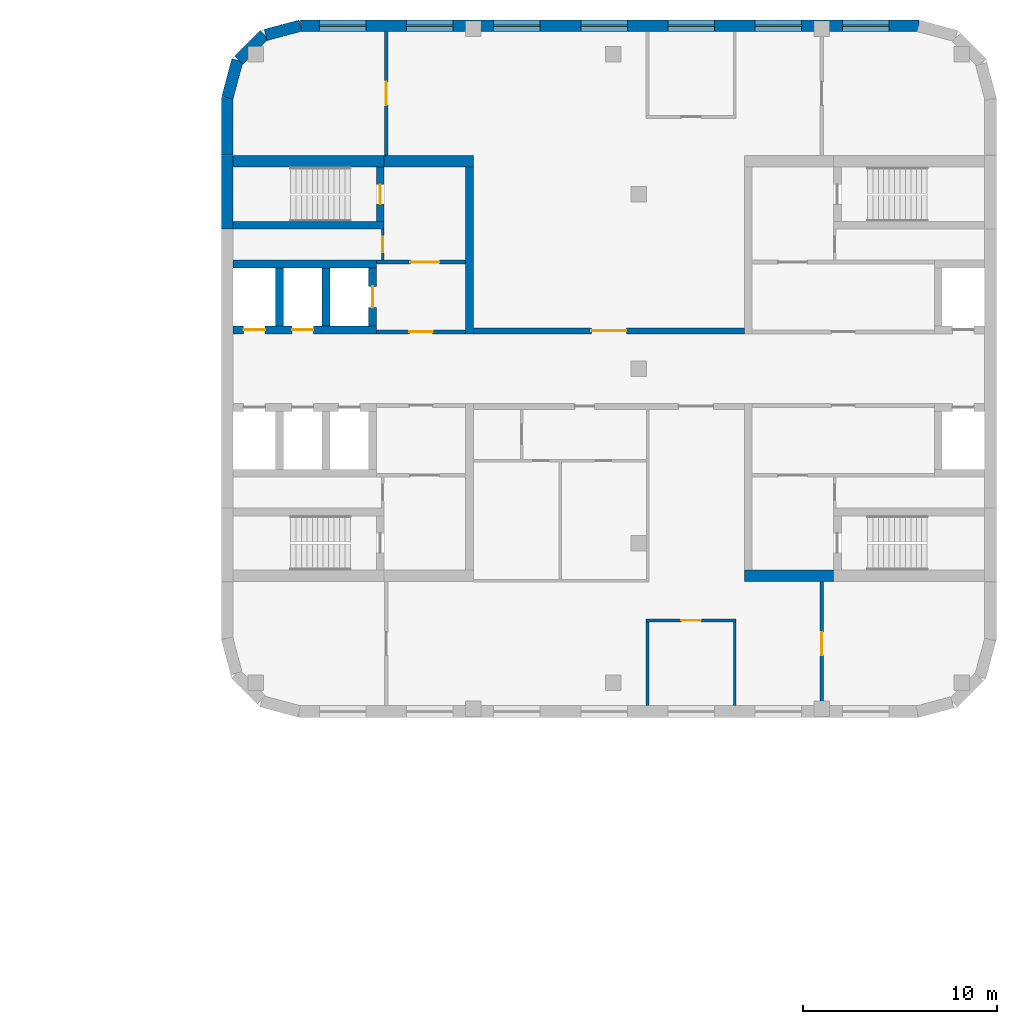
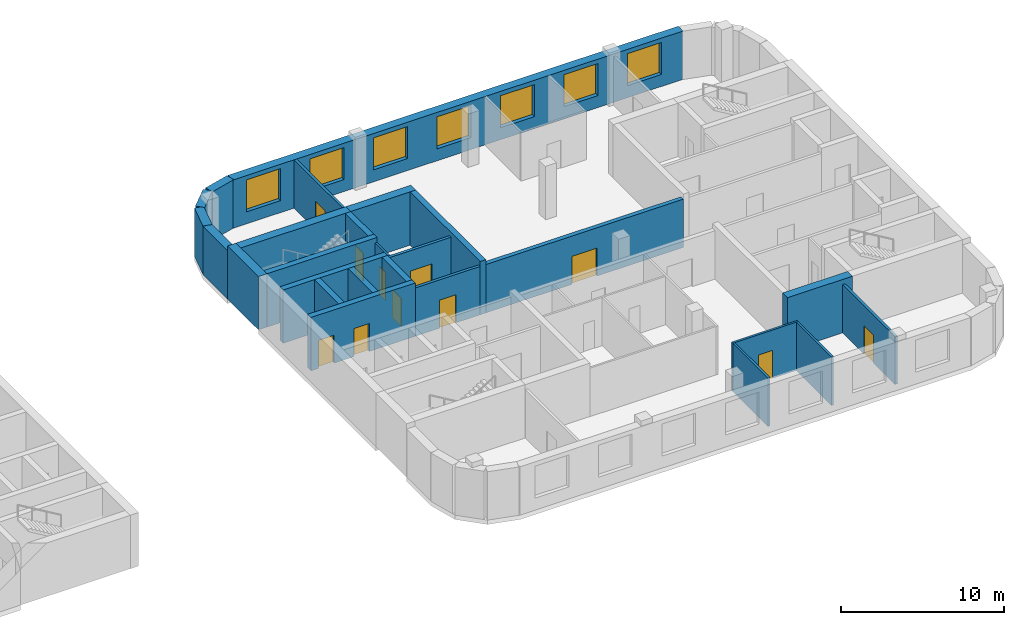
# One storey, part 8 of 12: 26 walls, 11 doors, 7 windows, 18 openings.
"""IFC4 building model written with IfcOpenShell, lengths in metres."""

from ifc_helpers import new_model, si_unit, direction, frame, frame_2d, origin, place, context, subcontext, project, spatial, rectangle, extrude, material, layer, layer_set, type_object, element, fill, save


model = new_model("IFC4")

# Units and contexts
model_context = context("Model", 3, precision=1e-05, world=origin(), true_north=direction((0.0, 1.0)))
body_context = subcontext(model_context, "Body", "Model", "MODEL_VIEW")
ifc_project = project(units=[si_unit("LENGTHUNIT", "METRE"), si_unit("AREAUNIT", "SQUARE_METRE"), si_unit("VOLUMEUNIT", "CUBIC_METRE"), si_unit("PLANEANGLEUNIT", "RADIAN"), si_unit("MASSUNIT", "GRAM", prefix="KILO")], contexts=[model_context])

# Site, building, storey
site_placement = place(None, origin())
site = spatial("IfcSite", under=ifc_project, at=site_placement, CompositionType="ELEMENT")
building_placement = place(site_placement, origin())
building = spatial("IfcBuilding", under=site, at=building_placement, Name="Skarvind Civic Tower", CompositionType="ELEMENT")
storey_placement = place(building_placement, frame((0.0, 0.0, 39.5)))
storey = spatial("IfcBuildingStorey", under=building, at=storey_placement, Name="L08", CompositionType="ELEMENT", Elevation=39.5)

# Wall, opening, door
ifc_material_1 = material(Name="Acoustic gypsum board on steel studs", Category="steel")
ifc_layer_1 = layer(ifc_material_1, 0.175048828125)
ifc_layer_set_1 = layer_set([ifc_layer_1], Name="ACOUSTIC MEETING-ROOM PARTITION 175")
wall_type_1 = type_object("IfcWallType", Name="ACOUSTIC MEETING-ROOM PARTITION 175", PredefinedType="PARTITIONING", material=ifc_layer_set_1)
wall_1_placement = place(storey_placement, frame((135.5, 145.39990234375, 0.0), z_axis=(0.0, 0.0, 1.0), x_axis=(0.0, -1.0, 0.0)))
wall_1 = element("IfcWall", 1, at=wall_1_placement, inside=storey, type_object=wall_type_1, Name="Partition 08.002", PredefinedType="PARTITIONING", context=body_context, shape_type="SweptSolid", body=[
    extrude(rectangle(XDim=6.39990234375, YDim=0.175048828125, at=frame_2d((3.199951171875, 0.0))), origin(), (0.0, 0.0, 1.0), 3.625),
])
opening_1_placement = place(wall_1_placement, frame((2.60009765625, 0.0, 0.0)))
opening_1 = element("IfcOpeningElement", 2, at=opening_1_placement, cuts=wall_1, Name="Opening L08-D103", PredefinedType="OPENING", context=body_context, shape_type="SweptSolid", body=[
    extrude(rectangle(XDim=1.199951171875, YDim=2.10009765625, at=frame_2d((0.60009765625, 1.050048828125))), frame((0.0, 0.097412109375, 0.0), z_axis=(0.0, -1.0, 0.0), x_axis=(1.0, 0.0, 0.0)), (0.0, 0.0, 1.0), 0.195068359375),
])
ifc_material_2 = material(Name="Timber door leaf", Category="wood")
door_type_1 = type_object("IfcDoorType", Name="DOOR 1200X2100 DOUBLE TIMBER", OperationType="NOTDEFINED", PredefinedType="DOOR", material=ifc_material_2)
door_1_placement = place(opening_1_placement, origin())
door_1 = element("IfcDoor", 3, at=door_1_placement, inside=storey, type_object=door_type_1, Name="Door L08-D103", OperationType="DOUBLE_DOOR_SINGLE_SWING", OverallHeight=2.10009765625, OverallWidth=1.199951171875, PredefinedType="DOOR", context=body_context, shape_type="SweptSolid", body=[
    extrude(rectangle(XDim=1.199951171875, YDim=2.10009765625, at=frame_2d((0.60009765625, 1.050048828125))), frame((0.0, 0.02490234375, 0.0), z_axis=(0.0, -1.0, 0.0), x_axis=(1.0, 0.0, 0.0)), (0.0, 0.0, 1.0), 0.050048828125),
])
fill(opening_1, door_1)

wall_2_placement = place(storey_placement, frame((158.0, 110.60009765625, 0.0), z_axis=(0.0, 0.0, 1.0), x_axis=(0.0, 1.0, 0.0)))
wall_2 = element("IfcWall", 4, at=wall_2_placement, inside=storey, type_object=wall_type_1, Name="Partition 08.016", PredefinedType="PARTITIONING", context=body_context, shape_type="SweptSolid", body=[
    extrude(rectangle(XDim=6.39990234375, YDim=0.175048828125, at=frame_2d((3.199951171875, 0.0))), origin(), (0.0, 0.0, 1.0), 3.625),
])
opening_2_placement = place(wall_2_placement, frame((2.60009765625, 0.0, 0.0)))
opening_2 = element("IfcOpeningElement", 5, at=opening_2_placement, cuts=wall_2, Name="Opening L08-D112", PredefinedType="OPENING", context=body_context, shape_type="SweptSolid", body=[
    extrude(rectangle(XDim=1.199951171875, YDim=2.10009765625, at=frame_2d((0.60009765625, 1.050048828125))), frame((0.0, 0.097412109375, 0.0), z_axis=(0.0, -1.0, 0.0), x_axis=(1.0, 0.0, 0.0)), (0.0, 0.0, 1.0), 0.195068359375),
])
door_2_placement = place(opening_2_placement, origin())
door_2 = element("IfcDoor", 6, at=door_2_placement, inside=storey, type_object=door_type_1, Name="Door L08-D112", OperationType="DOUBLE_DOOR_SINGLE_SWING", OverallHeight=2.10009765625, OverallWidth=1.199951171875, PredefinedType="DOOR", context=body_context, shape_type="SweptSolid", body=[
    extrude(rectangle(XDim=1.199951171875, YDim=2.10009765625, at=frame_2d((0.60009765625, 1.050048828125))), frame((0.0, 0.02490234375, 0.0), z_axis=(0.0, -1.0, 0.0), x_axis=(1.0, 0.0, 0.0)), (0.0, 0.0, 1.0), 0.050048828125),
])
fill(opening_2, door_2)

ifc_material_3 = material(Name="Fire-rated gypsum board on steel studs", Category="steel")
ifc_layer_2 = layer(ifc_material_3, 0.300048828125)
ifc_layer_set_2 = layer_set([ifc_layer_2], Name="CORRIDOR WALL 300")
wall_type_2 = type_object("IfcWallType", Name="CORRIDOR WALL 300", PredefinedType="PARTITIONING", material=ifc_layer_set_2)
wall_3_placement = place(storey_placement, frame((140.0, 129.949951171875, 0.0), z_axis=(0.0, 0.0, 1.0), x_axis=(1.0, 0.0, 0.0)))
wall_3 = element("IfcWall", 7, at=wall_3_placement, inside=storey, type_object=wall_type_2, Name="Partition 08.005", PredefinedType="PARTITIONING", context=body_context, shape_type="SweptSolid", body=[
    extrude(rectangle(XDim=14.0, YDim=0.300048828125, at=frame_2d((7.0, 0.0))), origin(), (0.0, 0.0, 1.0), 3.625),
])
opening_3_placement = place(wall_3_placement, frame((6.10009765625, 0.0, 0.0)))
opening_3 = element("IfcOpeningElement", 8, at=opening_3_placement, cuts=wall_3, Name="Opening L08-D101", PredefinedType="OPENING", context=body_context, shape_type="SweptSolid", body=[
    extrude(rectangle(XDim=1.800048828125, YDim=2.10009765625, at=frame_2d((0.89990234375, 1.050048828125))), frame((0.0, 0.159912109375, 0.0), z_axis=(0.0, -1.0, 0.0), x_axis=(1.0, 0.0, 0.0)), (0.0, 0.0, 1.0), 0.320068359375),
])
ifc_material_4 = material(Name="Fire-rated timber door leaf", Category="wood")
door_type_2 = type_object("IfcDoorType", Name="FD4 1800x2100", OperationType="NOTDEFINED", PredefinedType="DOOR", material=ifc_material_4)
door_3_placement = place(opening_3_placement, origin())
door_3 = element("IfcDoor", 9, at=door_3_placement, inside=storey, type_object=door_type_2, Name="Door L08-D101", OperationType="DOUBLE_DOOR_SINGLE_SWING", OverallHeight=2.10009765625, OverallWidth=1.800048828125, PredefinedType="DOOR", context=body_context, shape_type="SweptSolid", body=[
    extrude(rectangle(XDim=1.800048828125, YDim=2.10009765625, at=frame_2d((0.89990234375, 1.050048828125))), frame((0.0, 0.02490234375, 0.0), z_axis=(0.0, -1.0, 0.0), x_axis=(1.0, 0.0, 0.0)), (0.0, 0.0, 1.0), 0.050048828125),
])
fill(opening_3, door_3)

ifc_material_5 = material(Name="Fire-rated masonry partition", Category="masonry")
ifc_layer_3 = layer(ifc_material_5, 0.199951171875)
ifc_layer_set_3 = layer_set([ifc_layer_3], Name="Core enclosure wall 200")
wall_type_3 = type_object("IfcWallType", Name="Core enclosure wall 200", PredefinedType="PARTITIONING", material=ifc_layer_set_3)
wall_4_placement = place(storey_placement, frame((135.0, 129.89990234375, 0.0), z_axis=(0.0, 0.0, 1.0), x_axis=(1.0, 0.0, 0.0)))
wall_4 = element("IfcWall", 10, at=wall_4_placement, inside=storey, type_object=wall_type_3, Name="Core wall CA", PredefinedType="PARTITIONING", context=body_context, shape_type="SweptSolid", body=[
    extrude(rectangle(XDim=4.60009765625, YDim=0.199951171875, at=frame_2d((2.300048828125, 0.0))), origin(), (0.0, 0.0, 1.0), 3.625),
])
opening_4_placement = place(wall_4_placement, frame((1.699951171875, 0.0, 0.0)))
opening_4 = element("IfcOpeningElement", 11, at=opening_4_placement, cuts=wall_4, Name="Opening D-L08-CA-06", PredefinedType="OPENING", context=body_context, shape_type="SweptSolid", body=[
    extrude(rectangle(XDim=1.199951171875, YDim=2.10009765625, at=frame_2d((0.60009765625, 1.050048828125))), frame((0.0, 0.10986328125, 0.0), z_axis=(0.0, -1.0, 0.0), x_axis=(1.0, 0.0, 0.0)), (0.0, 0.0, 1.0), 0.219970703125),
])
ifc_material_6 = material(Name="Fire-rated steel door", Category="steel")
door_type_3 = type_object("IfcDoorType", Name="Core lobby door 1200", OperationType="NOTDEFINED", PredefinedType="DOOR", material=ifc_material_6)
door_4_placement = place(opening_4_placement, origin())
door_4 = element("IfcDoor", 12, at=door_4_placement, inside=storey, type_object=door_type_3, Name="Fire door", OperationType="DOUBLE_DOOR_SINGLE_SWING", OverallHeight=2.10009765625, OverallWidth=1.199951171875, PredefinedType="DOOR", context=body_context, shape_type="SweptSolid", body=[
    extrude(rectangle(XDim=1.199951171875, YDim=2.10009765625, at=frame_2d((0.60009765625, 1.050048828125))), frame((0.0, 0.02490234375, 0.0), z_axis=(0.0, -1.0, 0.0), x_axis=(1.0, 0.0, 0.0)), (0.0, 0.0, 1.0), 0.050048828125),
])
fill(opening_4, door_4)

wall_5_placement = place(storey_placement, frame((135.0, 133.5, 0.0), z_axis=(0.0, 0.0, 1.0), x_axis=(1.0, 0.0, 0.0)))
wall_5 = element("IfcWall", 13, at=wall_5_placement, inside=storey, type_object=wall_type_3, Name="Core wall CA", PredefinedType="PARTITIONING", context=body_context, shape_type="SweptSolid", body=[
    extrude(rectangle(XDim=4.60009765625, YDim=0.199951171875, at=frame_2d((2.300048828125, 0.0))), origin(), (0.0, 0.0, 1.0), 3.625),
])
opening_5_placement = place(wall_5_placement, frame((1.75, 0.0, 0.0)))
opening_5 = element("IfcOpeningElement", 14, at=opening_5_placement, cuts=wall_5, Name="Opening D-L08-CA-07", PredefinedType="OPENING", context=body_context, shape_type="SweptSolid", body=[
    extrude(rectangle(XDim=1.5, YDim=2.10009765625, at=frame_2d((0.75, 1.050048828125))), frame((0.0, 0.10986328125, 0.0), z_axis=(0.0, -1.0, 0.0), x_axis=(1.0, 0.0, 0.0)), (0.0, 0.0, 1.0), 0.219970703125),
])
door_type_4 = type_object("IfcDoorType", Name="Fire door 1500", OperationType="NOTDEFINED", PredefinedType="DOOR", material=ifc_material_6)
door_5_placement = place(opening_5_placement, origin())
door_5 = element("IfcDoor", 15, at=door_5_placement, inside=storey, type_object=door_type_4, Name="Fire door", OperationType="DOUBLE_DOOR_SINGLE_SWING", OverallHeight=2.10009765625, OverallWidth=1.5, PredefinedType="DOOR", context=body_context, shape_type="SweptSolid", body=[
    extrude(rectangle(XDim=1.5, YDim=2.10009765625, at=frame_2d((0.75, 1.050048828125))), frame((0.0, 0.02490234375, 0.0), z_axis=(0.0, -1.0, 0.0), x_axis=(1.0, 0.0, 0.0)), (0.0, 0.0, 1.0), 0.050048828125),
])
fill(opening_5, door_5)

# Wall
ifc_material_7 = material(Name="Concrete C80", Category="concrete")
ifc_layer_4 = layer(ifc_material_7, 0.39990234375)
ifc_layer_set_4 = layer_set([ifc_layer_4], Name="Core wall 400 C80")
wall_type_4 = type_object("IfcWallType", Name="Core wall 400 C80", PredefinedType="SHEAR", material=ifc_layer_set_4)
wall_6_placement = place(storey_placement, frame((127.60009765625, 135.39990234375, 0.0), z_axis=(0.0, 0.0, 1.0), x_axis=(1.0, 0.0, 0.0)))
element("IfcWall", 16, at=wall_6_placement, inside=storey, type_object=wall_type_4, Name="Core wall CA north stair inner L08", PredefinedType="SHEAR", context=body_context, shape_type="SweptSolid", body=[
    extrude(rectangle(XDim=7.7998046875, YDim=0.39990234375, at=frame_2d((3.89990234375, 0.0))), origin(), (0.0, 0.0, 1.0), 4.0),
])

# Wall, opening, door
wall_7_placement = place(storey_placement, frame((135.199951171875, 135.60009765625, 0.0), z_axis=(0.0, 0.0, 1.0), x_axis=(0.0, 1.0, 0.0)))
wall_7 = element("IfcWall", 17, at=wall_7_placement, inside=storey, type_object=wall_type_4, Name="Core wall CA north stair end L08", PredefinedType="SHEAR", context=body_context, shape_type="SweptSolid", body=[
    extrude(rectangle(XDim=2.7998046875, YDim=0.39990234375, at=frame_2d((1.39990234375, 0.0))), origin(), (0.0, 0.0, 1.0), 4.0),
])
opening_6_placement = place(wall_7_placement, frame((0.89990234375, 0.0, 0.0)))
opening_6 = element("IfcOpeningElement", 18, at=opening_6_placement, cuts=wall_7, Name="Opening D-L08-CA-08", PredefinedType="OPENING", context=body_context, shape_type="SweptSolid", body=[
    extrude(rectangle(XDim=1.0, YDim=2.10009765625, at=frame_2d((0.5, 1.050048828125))), frame((0.0, 0.2099609375, 0.0), z_axis=(0.0, -1.0, 0.0), x_axis=(1.0, 0.0, 0.0)), (0.0, 0.0, 1.0), 0.419921875),
])
door_type_5 = type_object("IfcDoorType", Name="Fire door 1000", OperationType="NOTDEFINED", PredefinedType="DOOR", material=ifc_material_6)
door_6_placement = place(opening_6_placement, origin())
door_6 = element("IfcDoor", 19, at=door_6_placement, inside=storey, type_object=door_type_5, Name="Fire door", OperationType="SINGLE_SWING_LEFT", OverallHeight=2.10009765625, OverallWidth=1.0, PredefinedType="DOOR", context=body_context, shape_type="SweptSolid", body=[
    extrude(rectangle(XDim=1.0, YDim=2.10009765625, at=frame_2d((0.5, 1.050048828125))), frame((0.0, 0.02490234375, 0.0), z_axis=(0.0, -1.0, 0.0), x_axis=(1.0, 0.0, 0.0)), (0.0, 0.0, 1.0), 0.050048828125),
])
fill(opening_6, door_6)

# Wall, openings, doors
wall_8_placement = place(storey_placement, frame((127.60009765625, 130.0, 0.0), z_axis=(0.0, 0.0, 1.0), x_axis=(1.0, 0.0, 0.0)))
wall_8 = element("IfcWall", 20, at=wall_8_placement, inside=storey, type_object=wall_type_4, Name="Core wall CA north lift row front L08", PredefinedType="SHEAR", context=body_context, shape_type="SweptSolid", body=[
    extrude(rectangle(XDim=7.39990234375, YDim=0.39990234375, at=frame_2d((3.699951171875, 0.0))), origin(), (0.0, 0.0, 1.0), 4.0),
])
opening_7_placement = place(wall_8_placement, frame((0.550048828125, 0.0, 0.0)))
opening_7 = element("IfcOpeningElement", 21, at=opening_7_placement, cuts=wall_8, Name="Opening LD10301", PredefinedType="OPENING", context=body_context, shape_type="SweptSolid", body=[
    extrude(rectangle(XDim=1.10009765625, YDim=2.10009765625, at=frame_2d((0.550048828125, 1.050048828125))), frame((0.0, 0.2099609375, 0.0), z_axis=(0.0, -1.0, 0.0), x_axis=(1.0, 0.0, 0.0)), (0.0, 0.0, 1.0), 0.419921875),
])
opening_8_placement = place(wall_8_placement, frame((3.050048828125, 0.0, 0.0)))
opening_8 = element("IfcOpeningElement", 22, at=opening_8_placement, cuts=wall_8, Name="Opening LD10302", PredefinedType="OPENING", context=body_context, shape_type="SweptSolid", body=[
    extrude(rectangle(XDim=1.10009765625, YDim=2.10009765625, at=frame_2d((0.550048828125, 1.050048828125))), frame((0.0, 0.2099609375, 0.0), z_axis=(0.0, -1.0, 0.0), x_axis=(1.0, 0.0, 0.0)), (0.0, 0.0, 1.0), 0.419921875),
])
ifc_material_8 = material(Name="Stainless steel landing door", Category="steel")
door_type_6 = type_object("IfcDoorType", Name="Lift landing door 1100", OperationType="DOUBLE_DOOR_SLIDING", PredefinedType="DOOR", material=ifc_material_8)
door_7_placement = place(opening_7_placement, origin())
door_7 = element("IfcDoor", 23, at=door_7_placement, inside=storey, type_object=door_type_6, Name="Lift landing door", OperationType="DOUBLE_DOOR_SLIDING", OverallHeight=2.10009765625, OverallWidth=1.10009765625, PredefinedType="DOOR", context=body_context, shape_type="SweptSolid", body=[
    extrude(rectangle(XDim=1.10009765625, YDim=2.10009765625, at=frame_2d((0.550048828125, 1.050048828125))), frame((0.0, 0.02490234375, 0.0), z_axis=(0.0, -1.0, 0.0), x_axis=(1.0, 0.0, 0.0)), (0.0, 0.0, 1.0), 0.050048828125),
])
fill(opening_7, door_7)
door_8_placement = place(opening_8_placement, origin())
door_8 = element("IfcDoor", 24, at=door_8_placement, inside=storey, type_object=door_type_6, Name="Lift landing door", OperationType="DOUBLE_DOOR_SLIDING", OverallHeight=2.10009765625, OverallWidth=1.10009765625, PredefinedType="DOOR", context=body_context, shape_type="SweptSolid", body=[
    extrude(rectangle(XDim=1.10009765625, YDim=2.10009765625, at=frame_2d((0.550048828125, 1.050048828125))), frame((0.0, 0.02490234375, 0.0), z_axis=(0.0, -1.0, 0.0), x_axis=(1.0, 0.0, 0.0)), (0.0, 0.0, 1.0), 0.050048828125),
])
fill(opening_8, door_8)

# Walls
wall_9_placement = place(storey_placement, frame((127.60009765625, 133.39990234375, 0.0), z_axis=(0.0, 0.0, 1.0), x_axis=(1.0, 0.0, 0.0)))
element("IfcWall", 25, at=wall_9_placement, inside=storey, type_object=wall_type_4, Name="Core wall CA north lift row back L08", PredefinedType="SHEAR", context=body_context, shape_type="SweptSolid", body=[
    extrude(rectangle(XDim=7.39990234375, YDim=0.39990234375, at=frame_2d((3.699951171875, 0.0))), origin(), (0.0, 0.0, 1.0), 4.0),
])
for number, where, z_axis, x_axis, name in (
    (26, (130.0, 130.199951171875, 0.0), (0.0, 0.0, 1.0), (0.0, 1.0, 0.0), "Core wall CA north lift row division 1 L08"),
    (27, (132.39990234375, 130.199951171875, 0.0), (0.0, 0.0, 1.0), (0.0, 1.0, 0.0), "Core wall CA north lift row division 2 L08"),
):
    element("IfcWall", number, at=place(storey_placement, frame(where, z_axis=z_axis, x_axis=x_axis)), inside=storey, type_object=wall_type_4, Name=name, PredefinedType="SHEAR", context=body_context, shape_type="SweptSolid", body=[
        extrude(rectangle(XDim=3.0, YDim=0.39990234375, at=frame_2d((1.5, 0.0))), origin(), (0.0, 0.0, 1.0), 4.0),
    ])

# Wall, opening, door
wall_10_placement = place(storey_placement, frame((134.800048828125, 130.199951171875, 0.0), z_axis=(0.0, 0.0, 1.0), x_axis=(0.0, 1.0, 0.0)))
wall_10 = element("IfcWall", 28, at=wall_10_placement, inside=storey, type_object=wall_type_4, Name="Core wall CA north lift row division 3 L08", PredefinedType="SHEAR", context=body_context, shape_type="SweptSolid", body=[
    extrude(rectangle(XDim=3.0, YDim=0.39990234375, at=frame_2d((1.5, 0.0))), origin(), (0.0, 0.0, 1.0), 4.0),
])
opening_9_placement = place(wall_10_placement, frame((0.949951171875, 0.0, 0.0)))
opening_9 = element("IfcOpeningElement", 29, at=opening_9_placement, cuts=wall_10, Name="Opening LD10303", PredefinedType="OPENING", context=body_context, shape_type="SweptSolid", body=[
    extrude(rectangle(XDim=1.10009765625, YDim=2.10009765625, at=frame_2d((0.550048828125, 1.050048828125))), frame((0.0, 0.2099609375, 0.0), z_axis=(0.0, -1.0, 0.0), x_axis=(1.0, 0.0, 0.0)), (0.0, 0.0, 1.0), 0.419921875),
])
door_9_placement = place(opening_9_placement, origin())
door_9 = element("IfcDoor", 30, at=door_9_placement, inside=storey, type_object=door_type_6, Name="Lift landing door", OperationType="DOUBLE_DOOR_SLIDING", OverallHeight=2.10009765625, OverallWidth=1.10009765625, PredefinedType="DOOR", context=body_context, shape_type="SweptSolid", body=[
    extrude(rectangle(XDim=1.10009765625, YDim=2.10009765625, at=frame_2d((0.550048828125, 1.050048828125))), frame((0.0, 0.02490234375, 0.0), z_axis=(0.0, -1.0, 0.0), x_axis=(1.0, 0.0, 0.0)), (0.0, 0.0, 1.0), 0.050048828125),
])
fill(opening_9, door_9)

# Walls
wall_11_placement = place(storey_placement, frame((139.800048828125, 129.800048828125, 0.0), z_axis=(0.0, 0.0, 1.0), x_axis=(0.0, 1.0, 0.0)))
element("IfcWall", 31, at=wall_11_placement, inside=storey, type_object=wall_type_4, Name="Core wall CA north inner face L08", PredefinedType="SHEAR", context=body_context, shape_type="SweptSolid", body=[
    extrude(rectangle(XDim=8.599853515625, YDim=0.39990234375, at=frame_2d((4.2998046875, 0.0))), origin(), (0.0, 0.0, 1.0), 4.0),
])
ifc_layer_5 = layer(ifc_material_7, 0.60009765625)
ifc_layer_set_5 = layer_set([ifc_layer_5], Name="Core wall 600 C80")
wall_type_5 = type_object("IfcWallType", Name="Core wall 600 C80", PredefinedType="SHEAR", material=ifc_layer_set_5)
wall_12_placement = place(storey_placement, frame((127.300048828125, 135.199951171875, 0.0), z_axis=(0.0, 0.0, 1.0), x_axis=(0.0, 1.0, 0.0)))
element("IfcWall", 32, at=wall_12_placement, inside=storey, type_object=wall_type_5, Name="Core wall CA tip at the north stair L08", PredefinedType="SHEAR", context=body_context, shape_type="SweptSolid", body=[
    extrude(rectangle(XDim=3.800048828125, YDim=0.60009765625, at=frame_2d((1.89990234375, 0.0))), origin(), (0.0, 0.0, 1.0), 4.0),
])
wall_13_placement = place(storey_placement, frame((127.60009765625, 138.699951171875, 0.0), z_axis=(0.0, 0.0, 1.0), x_axis=(1.0, 0.0, 0.0)))
element("IfcWall", 33, at=wall_13_placement, inside=storey, type_object=wall_type_5, Name="Core wall CA north side at the stair L08", PredefinedType="SHEAR", context=body_context, shape_type="SweptSolid", body=[
    extrude(rectangle(XDim=7.7998046875, YDim=0.60009765625, at=frame_2d((3.89990234375, 0.0))), origin(), (0.0, 0.0, 1.0), 4.0),
])
for number, where, z_axis, x_axis, name in (
    (34, (135.39990234375, 138.699951171875, 0.0), (0.0, 0.0, 1.0), (1.0, 0.0, 0.0), "Core wall CA north side L08"),
    (35, (158.60009765625, 117.300048828125, 0.0), (0.0, 0.0, 1.0), (-1.0, 0.0, 0.0), "Core wall CB north side L08"),
):
    element("IfcWall", number, at=place(storey_placement, frame(where, z_axis=z_axis, x_axis=x_axis)), inside=storey, type_object=wall_type_5, Name=name, PredefinedType="SHEAR", context=body_context, shape_type="SweptSolid", body=[
        extrude(rectangle(XDim=4.60009765625, YDim=0.60009765625, at=frame_2d((2.300048828125, 0.0))), origin(), (0.0, 0.0, 1.0), 4.0),
    ])
ifc_material_9 = material(Name="Plasterboard partition on steel studs", Category="steel")
ifc_layer_6 = layer(ifc_material_9, 0.14990234375)
ifc_layer_set_6 = layer_set([ifc_layer_6], Name="PARTITION 150")
wall_type_6 = type_object("IfcWallType", Name="PARTITION 150", PredefinedType="PARTITIONING", material=ifc_layer_set_6)
wall_14_placement = place(storey_placement, frame((149.0, 110.60009765625, 0.0), z_axis=(0.0, 0.0, 1.0), x_axis=(0.0, 1.0, 0.0)))
element("IfcWall", 36, at=wall_14_placement, inside=storey, type_object=wall_type_6, Name="Partition 08.008", PredefinedType="PARTITIONING", context=body_context, shape_type="SweptSolid", body=[
    extrude(rectangle(XDim=4.324951171875, YDim=0.14990234375, at=frame_2d((2.16259765625, 0.0))), origin(), (0.0, 0.0, 1.0), 3.625),
])

# Wall, opening, door
wall_15_placement = place(storey_placement, frame((148.925048828125, 115.0, 0.0), z_axis=(0.0, 0.0, 1.0), x_axis=(1.0, 0.0, 0.0)))
wall_15 = element("IfcWall", 37, at=wall_15_placement, inside=storey, type_object=wall_type_6, Name="Partition 08.009", PredefinedType="PARTITIONING", context=body_context, shape_type="SweptSolid", body=[
    extrude(rectangle(XDim=4.64990234375, YDim=0.14990234375, at=frame_2d((2.324951171875, 0.0))), origin(), (0.0, 0.0, 1.0), 3.625),
])
opening_10_placement = place(wall_15_placement, frame((1.824951171875, 0.0, 0.0)))
opening_10 = element("IfcOpeningElement", 38, at=opening_10_placement, cuts=wall_15, Name="Opening L08-D110", PredefinedType="OPENING", context=body_context, shape_type="SweptSolid", body=[
    extrude(rectangle(XDim=1.0, YDim=2.10009765625, at=frame_2d((0.5, 1.050048828125))), frame((0.0, 0.0849609375, 0.0), z_axis=(0.0, -1.0, 0.0), x_axis=(1.0, 0.0, 0.0)), (0.0, 0.0, 1.0), 0.169921875),
])
door_type_7 = type_object("IfcDoorType", Name="D1 1000x2100", OperationType="NOTDEFINED", PredefinedType="DOOR", material=ifc_material_2)
door_10_placement = place(opening_10_placement, origin())
door_10 = element("IfcDoor", 39, at=door_10_placement, inside=storey, type_object=door_type_7, Name="Door L08-D110", OperationType="SINGLE_SWING_LEFT", OverallHeight=2.10009765625, OverallWidth=1.0, PredefinedType="DOOR", context=body_context, shape_type="SweptSolid", body=[
    extrude(rectangle(XDim=1.0, YDim=2.10009765625, at=frame_2d((0.5, 1.050048828125))), frame((0.0, 0.02490234375, 0.0), z_axis=(0.0, -1.0, 0.0), x_axis=(1.0, 0.0, 0.0)), (0.0, 0.0, 1.0), 0.050048828125),
])
fill(opening_10, door_10)

# Wall
wall_16_placement = place(storey_placement, frame((153.5, 114.925048828125, 0.0), z_axis=(0.0, 0.0, 1.0), x_axis=(0.0, -1.0, 0.0)))
element("IfcWall", 40, at=wall_16_placement, inside=storey, type_object=wall_type_6, Name="Partition 08.012", PredefinedType="PARTITIONING", context=body_context, shape_type="SweptSolid", body=[
    extrude(rectangle(XDim=4.324951171875, YDim=0.14990234375, at=frame_2d((2.16259765625, 0.0))), origin(), (0.0, 0.0, 1.0), 3.625),
])

# Wall, opening, door
ifc_layer_7 = layer(ifc_material_5, 0.125)
ifc_layer_set_7 = layer_set([ifc_layer_7], Name="Riser wall 125")
wall_type_7 = type_object("IfcWallType", Name="Riser wall 125", PredefinedType="PARTITIONING", material=ifc_layer_set_7)
wall_17_placement = place(storey_placement, frame((135.33740234375, 135.199951171875, 0.0), z_axis=(0.0, 0.0, 1.0), x_axis=(0.0, -1.0, 0.0)))
wall_17 = element("IfcWall", 41, at=wall_17_placement, inside=storey, type_object=wall_type_7, Name="Core wall CA", PredefinedType="PARTITIONING", context=body_context, shape_type="SweptSolid", body=[
    extrude(rectangle(XDim=1.599853515625, YDim=0.125, at=frame_2d((0.7998046875, 0.0))), origin(), (0.0, 0.0, 1.0), 3.625),
])
opening_11_placement = place(wall_17_placement, frame((0.39990234375, 0.0, 0.0)))
opening_11 = element("IfcOpeningElement", 42, at=opening_11_placement, cuts=wall_17, Name="Opening D-L08-CA-09", PredefinedType="OPENING", context=body_context, shape_type="SweptSolid", body=[
    extrude(rectangle(XDim=0.800048828125, YDim=2.10009765625, at=frame_2d((0.39990234375, 1.050048828125))), frame((0.0, 0.072509765625, 0.0), z_axis=(0.0, -1.0, 0.0), x_axis=(1.0, 0.0, 0.0)), (0.0, 0.0, 1.0), 0.14501953125),
])
door_type_8 = type_object("IfcDoorType", Name="Core riser door 800", OperationType="NOTDEFINED", PredefinedType="DOOR", material=ifc_material_6)
door_11_placement = place(opening_11_placement, origin())
door_11 = element("IfcDoor", 43, at=door_11_placement, inside=storey, type_object=door_type_8, Name="Riser door", OperationType="SINGLE_SWING_RIGHT", OverallHeight=2.10009765625, OverallWidth=0.800048828125, PredefinedType="DOOR", context=body_context, shape_type="SweptSolid", body=[
    extrude(rectangle(XDim=0.800048828125, YDim=2.10009765625, at=frame_2d((0.39990234375, 1.050048828125))), frame((0.0, 0.02490234375, 0.0), z_axis=(0.0, -1.0, 0.0), x_axis=(1.0, 0.0, 0.0)), (0.0, 0.0, 1.0), 0.050048828125),
])
fill(opening_11, door_11)

# Wall, openings, windows
ifc_material_10 = material(Name="Limestone masonry cladding on insulated backing", Category="masonry")
ifc_layer_8 = layer(ifc_material_10, 0.60009765625)
ifc_layer_set_8 = layer_set([ifc_layer_8], Name="WX1 STONE FACADE WALL 600")
wall_type_8 = type_object("IfcWallType", Name="WX1 STONE FACADE WALL 600", PredefinedType="SOLIDWALL", material=ifc_layer_set_8)
wall_18_placement = place(storey_placement, frame((131.070068359375, 145.699951171875, 0.0), z_axis=(0.0, 0.0, 1.0), x_axis=(1.0, 0.0, 0.0)))
wall_18 = element("IfcWall", 44, at=wall_18_placement, inside=storey, type_object=wall_type_8, Name="STONE FACADE WALL", PredefinedType="SOLIDWALL", context=body_context, shape_type="SweptSolid", body=[
    extrude(rectangle(XDim=31.929931640625, YDim=0.60009765625, at=frame_2d((15.96484375, 0.0))), origin(), (0.0, 0.0, 1.0), 3.625),
])
opening_12_placement = place(wall_18_placement, frame((0.97998046875, 0.0, 0.89990234375)))
opening_12 = element("IfcOpeningElement", 45, at=opening_12_placement, cuts=wall_18, Name="Opening WN9", PredefinedType="OPENING", context=body_context, shape_type="SweptSolid", body=[
    extrude(rectangle(XDim=2.39990234375, YDim=2.39990234375, at=frame_2d((1.199951171875, 1.199951171875))), frame((0.0, 0.31005859375, 0.0), z_axis=(0.0, -1.0, 0.0), x_axis=(1.0, 0.0, 0.0)), (0.0, 0.0, 1.0), 0.6201171875),
])
opening_13_placement = place(wall_18_placement, frame((5.47998046875, 0.0, 0.89990234375)))
opening_13 = element("IfcOpeningElement", 46, at=opening_13_placement, cuts=wall_18, Name="Opening WN9", PredefinedType="OPENING", context=body_context, shape_type="SweptSolid", body=[
    extrude(rectangle(XDim=2.39990234375, YDim=2.39990234375, at=frame_2d((1.199951171875, 1.199951171875))), frame((0.0, 0.31005859375, 0.0), z_axis=(0.0, -1.0, 0.0), x_axis=(1.0, 0.0, 0.0)), (0.0, 0.0, 1.0), 0.6201171875),
])
opening_14_placement = place(wall_18_placement, frame((9.97998046875, 0.0, 0.89990234375)))
opening_14 = element("IfcOpeningElement", 47, at=opening_14_placement, cuts=wall_18, Name="Opening WN9", PredefinedType="OPENING", context=body_context, shape_type="SweptSolid", body=[
    extrude(rectangle(XDim=2.39990234375, YDim=2.39990234375, at=frame_2d((1.199951171875, 1.199951171875))), frame((0.0, 0.31005859375, 0.0), z_axis=(0.0, -1.0, 0.0), x_axis=(1.0, 0.0, 0.0)), (0.0, 0.0, 1.0), 0.6201171875),
])
opening_15_placement = place(wall_18_placement, frame((14.47998046875, 0.0, 0.89990234375)))
opening_15 = element("IfcOpeningElement", 48, at=opening_15_placement, cuts=wall_18, Name="Opening WN9", PredefinedType="OPENING", context=body_context, shape_type="SweptSolid", body=[
    extrude(rectangle(XDim=2.39990234375, YDim=2.39990234375, at=frame_2d((1.199951171875, 1.199951171875))), frame((0.0, 0.31005859375, 0.0), z_axis=(0.0, -1.0, 0.0), x_axis=(1.0, 0.0, 0.0)), (0.0, 0.0, 1.0), 0.6201171875),
])
opening_16_placement = place(wall_18_placement, frame((18.97998046875, 0.0, 0.89990234375)))
opening_16 = element("IfcOpeningElement", 49, at=opening_16_placement, cuts=wall_18, Name="Opening WN9", PredefinedType="OPENING", context=body_context, shape_type="SweptSolid", body=[
    extrude(rectangle(XDim=2.39990234375, YDim=2.39990234375, at=frame_2d((1.199951171875, 1.199951171875))), frame((0.0, 0.31005859375, 0.0), z_axis=(0.0, -1.0, 0.0), x_axis=(1.0, 0.0, 0.0)), (0.0, 0.0, 1.0), 0.6201171875),
])
opening_17_placement = place(wall_18_placement, frame((23.47998046875, 0.0, 0.89990234375)))
opening_17 = element("IfcOpeningElement", 50, at=opening_17_placement, cuts=wall_18, Name="Opening WN9", PredefinedType="OPENING", context=body_context, shape_type="SweptSolid", body=[
    extrude(rectangle(XDim=2.39990234375, YDim=2.39990234375, at=frame_2d((1.199951171875, 1.199951171875))), frame((0.0, 0.31005859375, 0.0), z_axis=(0.0, -1.0, 0.0), x_axis=(1.0, 0.0, 0.0)), (0.0, 0.0, 1.0), 0.6201171875),
])
opening_18_placement = place(wall_18_placement, frame((27.97998046875, 0.0, 0.89990234375)))
opening_18 = element("IfcOpeningElement", 51, at=opening_18_placement, cuts=wall_18, Name="Opening WN9", PredefinedType="OPENING", context=body_context, shape_type="SweptSolid", body=[
    extrude(rectangle(XDim=2.39990234375, YDim=2.39990234375, at=frame_2d((1.199951171875, 1.199951171875))), frame((0.0, 0.31005859375, 0.0), z_axis=(0.0, -1.0, 0.0), x_axis=(1.0, 0.0, 0.0)), (0.0, 0.0, 1.0), 0.6201171875),
])
ifc_material_11 = material(Name="Timber frame, double glazing, timber-lined reveal", Category="wood")
window_type = type_object("IfcWindowType", Name="WN9 COMPANION TOWER WINDOW 2400 x 2400", PartitioningType="SINGLE_PANEL", PredefinedType="WINDOW", material=ifc_material_11)
window_1_placement = place(opening_12_placement, origin())
window_1 = element("IfcWindow", 52, at=window_1_placement, inside=storey, type_object=window_type, Name="WN9 WINDOW", OverallHeight=2.39990234375, OverallWidth=2.39990234375, PartitioningType="SINGLE_PANEL", PredefinedType="WINDOW", context=body_context, shape_type="SweptSolid", body=[
    extrude(rectangle(XDim=2.39990234375, YDim=2.39990234375, at=frame_2d((1.199951171875, 1.199951171875))), frame((0.0, 0.030029296875, 0.0), z_axis=(0.0, -1.0, 0.0), x_axis=(1.0, 0.0, 0.0)), (0.0, 0.0, 1.0), 0.06005859375),
])
fill(opening_12, window_1)
window_2_placement = place(opening_13_placement, origin())
window_2 = element("IfcWindow", 53, at=window_2_placement, inside=storey, type_object=window_type, Name="WN9 WINDOW", OverallHeight=2.39990234375, OverallWidth=2.39990234375, PartitioningType="SINGLE_PANEL", PredefinedType="WINDOW", context=body_context, shape_type="SweptSolid", body=[
    extrude(rectangle(XDim=2.39990234375, YDim=2.39990234375, at=frame_2d((1.199951171875, 1.199951171875))), frame((0.0, 0.030029296875, 0.0), z_axis=(0.0, -1.0, 0.0), x_axis=(1.0, 0.0, 0.0)), (0.0, 0.0, 1.0), 0.06005859375),
])
fill(opening_13, window_2)
window_3_placement = place(opening_14_placement, origin())
window_3 = element("IfcWindow", 54, at=window_3_placement, inside=storey, type_object=window_type, Name="WN9 WINDOW", OverallHeight=2.39990234375, OverallWidth=2.39990234375, PartitioningType="SINGLE_PANEL", PredefinedType="WINDOW", context=body_context, shape_type="SweptSolid", body=[
    extrude(rectangle(XDim=2.39990234375, YDim=2.39990234375, at=frame_2d((1.199951171875, 1.199951171875))), frame((0.0, 0.030029296875, 0.0), z_axis=(0.0, -1.0, 0.0), x_axis=(1.0, 0.0, 0.0)), (0.0, 0.0, 1.0), 0.06005859375),
])
fill(opening_14, window_3)
window_4_placement = place(opening_15_placement, origin())
window_4 = element("IfcWindow", 55, at=window_4_placement, inside=storey, type_object=window_type, Name="WN9 WINDOW", OverallHeight=2.39990234375, OverallWidth=2.39990234375, PartitioningType="SINGLE_PANEL", PredefinedType="WINDOW", context=body_context, shape_type="SweptSolid", body=[
    extrude(rectangle(XDim=2.39990234375, YDim=2.39990234375, at=frame_2d((1.199951171875, 1.199951171875))), frame((0.0, 0.030029296875, 0.0), z_axis=(0.0, -1.0, 0.0), x_axis=(1.0, 0.0, 0.0)), (0.0, 0.0, 1.0), 0.06005859375),
])
fill(opening_15, window_4)
window_5_placement = place(opening_16_placement, origin())
window_5 = element("IfcWindow", 56, at=window_5_placement, inside=storey, type_object=window_type, Name="WN9 WINDOW", OverallHeight=2.39990234375, OverallWidth=2.39990234375, PartitioningType="SINGLE_PANEL", PredefinedType="WINDOW", context=body_context, shape_type="SweptSolid", body=[
    extrude(rectangle(XDim=2.39990234375, YDim=2.39990234375, at=frame_2d((1.199951171875, 1.199951171875))), frame((0.0, 0.030029296875, 0.0), z_axis=(0.0, -1.0, 0.0), x_axis=(1.0, 0.0, 0.0)), (0.0, 0.0, 1.0), 0.06005859375),
])
fill(opening_16, window_5)
window_6_placement = place(opening_17_placement, origin())
window_6 = element("IfcWindow", 57, at=window_6_placement, inside=storey, type_object=window_type, Name="WN9 WINDOW", OverallHeight=2.39990234375, OverallWidth=2.39990234375, PartitioningType="SINGLE_PANEL", PredefinedType="WINDOW", context=body_context, shape_type="SweptSolid", body=[
    extrude(rectangle(XDim=2.39990234375, YDim=2.39990234375, at=frame_2d((1.199951171875, 1.199951171875))), frame((0.0, 0.030029296875, 0.0), z_axis=(0.0, -1.0, 0.0), x_axis=(1.0, 0.0, 0.0)), (0.0, 0.0, 1.0), 0.06005859375),
])
fill(opening_17, window_6)
window_7_placement = place(opening_18_placement, origin())
window_7 = element("IfcWindow", 58, at=window_7_placement, inside=storey, type_object=window_type, Name="WN9 WINDOW", OverallHeight=2.39990234375, OverallWidth=2.39990234375, PartitioningType="SINGLE_PANEL", PredefinedType="WINDOW", context=body_context, shape_type="SweptSolid", body=[
    extrude(rectangle(XDim=2.39990234375, YDim=2.39990234375, at=frame_2d((1.199951171875, 1.199951171875))), frame((0.0, 0.030029296875, 0.0), z_axis=(0.0, -1.0, 0.0), x_axis=(1.0, 0.0, 0.0)), (0.0, 0.0, 1.0), 0.06005859375),
])
fill(opening_18, window_7)

# Walls
for number, where, z_axis, x_axis, name in (
    (59, (129.280517578125, 145.228759765625, 0.0), (0.0, 0.0, 1.0), (0.965938094805, 0.258773254036, 0.0), "STONE FACADE WALL"),
    (60, (127.896484375, 143.936279296875, 0.0), (0.0, 0.0, 1.0), (0.707106781187, 0.707106781187, 0.0), "STONE FACADE WALL"),
):
    element("IfcWall", number, at=place(storey_placement, frame(where, z_axis=z_axis, x_axis=x_axis)), inside=storey, type_object=wall_type_8, Name=name, PredefinedType="SOLIDWALL", context=body_context, shape_type="SweptSolid", body=[
        extrude(rectangle(XDim=1.860595703125, YDim=0.60009765625, at=frame_2d((0.93017578125, 0.0))), origin(), (0.0, 0.0, 1.0), 3.625),
    ])
wall_19_placement = place(storey_placement, frame((127.307861328125, 141.989990234375, 0.0), z_axis=(0.0, 0.0, 1.0), x_axis=(0.258839784042, 0.965920269068, 0.0)))
element("IfcWall", 61, at=wall_19_placement, inside=storey, type_object=wall_type_8, Name="STONE FACADE WALL", PredefinedType="SOLIDWALL", context=body_context, shape_type="SweptSolid", body=[
    extrude(rectangle(XDim=2.00048828125, YDim=0.60009765625, at=frame_2d((1.000244140625, 0.0))), origin(), (0.0, 0.0, 1.0), 3.625),
])
wall_20_placement = place(storey_placement, frame((127.300048828125, 139.02001953125, 0.0), z_axis=(0.0, 0.0, 1.0), x_axis=(0.0, 1.0, 0.0)))
element("IfcWall", 62, at=wall_20_placement, inside=storey, type_object=wall_type_8, Name="STONE FACADE WALL", PredefinedType="SOLIDWALL", context=body_context, shape_type="SweptSolid", body=[
    extrude(rectangle(XDim=2.97998046875, YDim=0.60009765625, at=frame_2d((1.489990234375, 0.0))), origin(), (0.0, 0.0, 1.0), 3.625),
])

save(model, "model.ifc")
